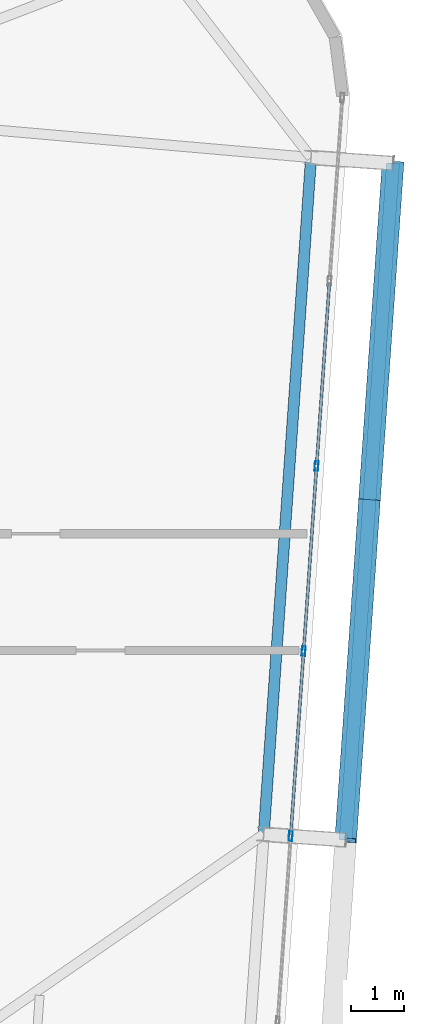
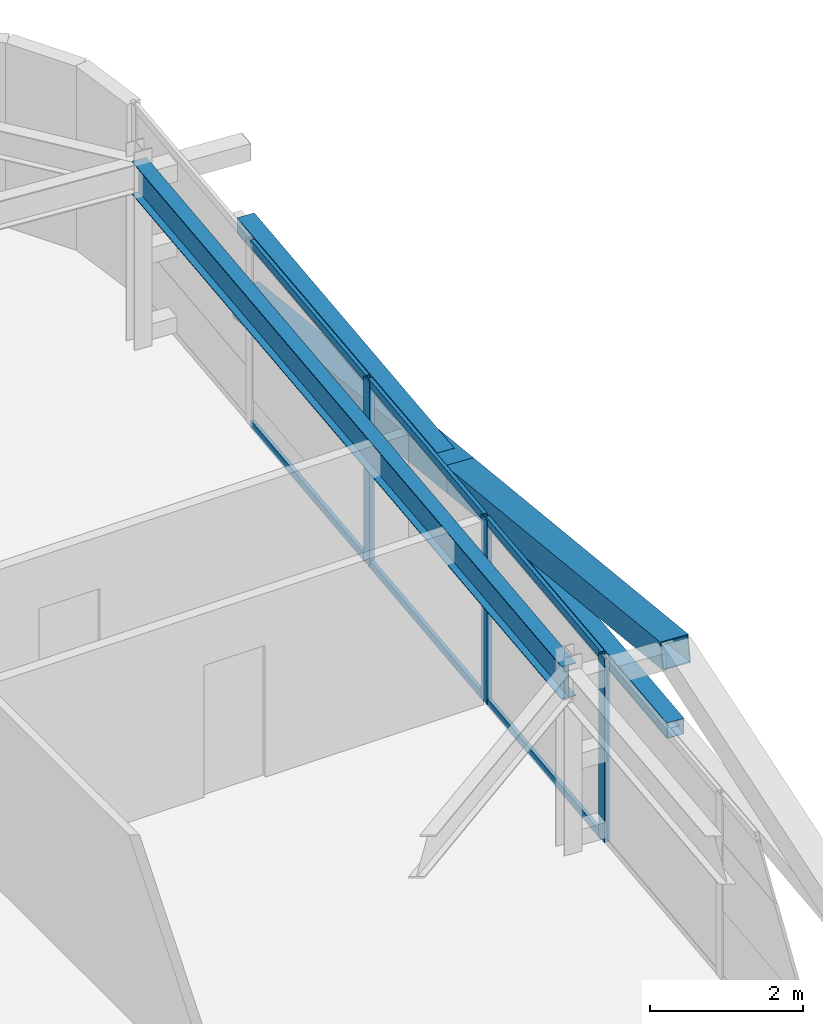
# One storey, part 24 of 47: 12 members, 1 beam, 1 element without a shape of its own.
"""IFC4 building model written with IfcOpenShell, lengths in metres."""

from ifc_helpers import new_model, si_unit, direction, frame, origin, origin_2d, place, context, subcontext, project, spatial, hollow_rectangle, i_section, extrude, source, transform, mapped, material, layer, layer_set, material_profile, profile_set, type_object, element, aggregate, save


model = new_model("IFC4")

# Units and contexts
model_context = context("Model", 3, precision=1e-05, world=origin(), true_north=direction((0.0, 1.0)))
body_context = subcontext(model_context, "Body", "Model", "MODEL_VIEW")
ifc_project = project(units=[si_unit("LENGTHUNIT", "METRE"), si_unit("AREAUNIT", "SQUARE_METRE"), si_unit("VOLUMEUNIT", "CUBIC_METRE"), si_unit("PLANEANGLEUNIT", "RADIAN"), si_unit("MASSUNIT", "GRAM", prefix="KILO")], contexts=[model_context])

# Site, building, storey
site_placement = place(None, origin())
site = spatial("IfcSite", under=ifc_project, at=site_placement, CompositionType="ELEMENT")
building_placement = place(site_placement, origin())
building = spatial("IfcBuilding", under=site, at=building_placement, Name="Taldren Reach Tower", CompositionType="ELEMENT")
storey_placement = place(building_placement, frame((0.0, 0.0, 139.300048828125)))
storey = spatial("IfcBuildingStorey", under=building, at=storey_placement, Name="L42", CompositionType="ELEMENT", Elevation=139.300048828125)

# Beam
ifc_material_1 = material(Name="Steel Gr 350 (350PLUS)", Category="steel")
ifc_material_profile_1 = material_profile(ifc_material_1, i_section(OverallWidth=0.208984375, OverallDepth=0.528076171875, WebThickness=0.009521484375, FlangeThickness=0.01318359375, at=origin_2d()), Name="530UB82.0")
ifc_profile_set_1 = profile_set([ifc_material_profile_1], Name="Steel Gr 350 (350PLUS)")
beam_type = type_object("IfcBeamType", Name="SP-UB530B", PredefinedType="SPANDREL", material=ifc_profile_set_1)
shared_shape_1 = source(origin(), body_context, "Body", "SweptSolid", [
    extrude(i_section(OverallWidth=0.208984375, OverallDepth=0.528076171875, WebThickness=0.009521484375, FlangeThickness=0.01318359375, at=origin_2d()), origin(), (0.0, 0.0, 1.0), 12.800048828125),
])
beam_placement = place(storey_placement, frame((60.438232421875, 18.331787109375, 2.666015625), z_axis=(0.069751876777, 0.9975643717, 0.0), x_axis=(-0.9975643717, 0.069751876777, 0.0)))
element("IfcBeam", 1, at=beam_placement, inside=storey, type_object=beam_type, Name="Perimeter spandrel B3 E2-E3 L42", PredefinedType="SPANDREL", context=body_context, shape_type="MappedRepresentation", body=[
    mapped(shared_shape_1, transform((0.0, 0.0, 0.0), scale=1.0)),
])

# Members
ifc_material_2 = material(Name="Steel Gr 350 (C350L0)", Category="steel")
ifc_material_profile_2 = material_profile(ifc_material_2, hollow_rectangle(XDim=0.25, YDim=0.25, WallThickness=0.010009765625, at=origin_2d()), Name="250x250x10.0SHS")
ifc_profile_set_2 = profile_set([ifc_material_profile_2], Name="Steel Gr 350 (C350L0)")
member_type_1 = type_object("IfcMemberType", Name="MB-POST250", PredefinedType="POST", material=ifc_profile_set_2)
shared_shape_2 = source(origin(), body_context, "Body", "SweptSolid", [
    extrude(hollow_rectangle(XDim=0.25, YDim=0.25, WallThickness=0.010009765625, at=origin_2d()), origin(), (0.0, 0.0, 1.0), 12.800048828125),
])
member_1_placement = place(storey_placement, frame((61.984375, 18.2236328125, 1.43505859375), z_axis=(0.069770857464, 0.997563044348, 0.0), x_axis=(-0.997563044348, 0.069770857464, 0.0)))
element("IfcMember", 2, at=member_1_placement, inside=storey, type_object=member_type_1, Name="Exoskeleton mid-height ring chord B3-E2 L42", PredefinedType="POST", context=body_context, shape_type="MappedRepresentation", body=[
    mapped(shared_shape_2, transform((0.0, 0.0, 0.0), scale=1.0)),
])
ifc_material_3 = material(Name="Steel Gr 450 (C450L0)", Category="steel")
ifc_material_profile_3 = material_profile(ifc_material_3, hollow_rectangle(XDim=0.409912109375, YDim=0.409912109375, WallThickness=0.01611328125, at=origin_2d()), Name="410x410x16.0SHS")
ifc_profile_set_3 = profile_set([ifc_material_profile_3], Name="Steel Gr 450 (C450L0)")
member_type_2 = type_object("IfcMemberType", Name="MB-EXO406", PredefinedType="BRACE", material=ifc_profile_set_3)
shared_shape_3 = source(origin(), body_context, "Body", "SweptSolid", [
    extrude(hollow_rectangle(XDim=0.409912109375, YDim=0.409912109375, WallThickness=0.01611328125, at=origin_2d()), origin(), (0.0, 0.0, 1.0), 6.514404296875),
])
member_2_placement = place(storey_placement, frame((62.87744140625, 30.992431640625, 0.219970703125), z_axis=(-0.068545126831, -0.980056649402, 0.186522195865), x_axis=(0.997563137195, -0.069769529958, 0.0)))
element("IfcMember", 3, at=member_2_placement, inside=storey, type_object=member_type_2, Name="Exoskeleton Diagrid Brace B3-E2 L42", PredefinedType="BRACE", context=body_context, shape_type="MappedRepresentation", body=[
    mapped(shared_shape_3, transform((0.0, 0.0, 0.0), scale=1.0)),
])
shared_shape_4 = source(origin(), body_context, "Body", "SweptSolid", [
    extrude(hollow_rectangle(XDim=0.409912109375, YDim=0.409912109375, WallThickness=0.01611328125, at=origin_2d()), origin(), (0.0, 0.0, 1.0), 6.51416015625),
])
member_3_placement = place(storey_placement, frame((62.430908203125, 24.60791015625, 1.43505859375), z_axis=(-0.068548123702, -0.980062020128, 0.186492872358), x_axis=(0.997562951496, -0.069772185021, 0.0)))
element("IfcMember", 4, at=member_3_placement, inside=storey, type_object=member_type_2, Name="Exoskeleton Diagrid Brace B3-E2 L42", PredefinedType="BRACE", context=body_context, shape_type="MappedRepresentation", body=[
    mapped(shared_shape_4, transform((0.0, 0.0, 0.0), scale=1.0)),
])

# Curtain wall, members
ifc_material_4 = material(Name="Aluminium and Low-E Glass Unitised System", Category="aluminium")
ifc_layer = layer(ifc_material_4, 0.159912109375)
ifc_layer_set = layer_set([ifc_layer], Name="Aluminium and Low-E Glass Unitised System")
curtain_wall_type = type_object("IfcCurtainWallType", Name="CW-SYS-4", PredefinedType="NOTDEFINED", material=ifc_layer_set)
curtain_wall_placement = place(storey_placement, origin())
curtain_wall = element("IfcCurtainWall", 5, at=curtain_wall_placement, inside=storey, type_object=curtain_wall_type, Name="Unitised curtain wall CW-L42-E", PredefinedType="NOTDEFINED")
ifc_material_5 = material(Name="Anodised Aluminium 6063-T6", Category="aluminium")
ifc_material_profile_4 = material_profile(ifc_material_5, hollow_rectangle(XDim=0.070068359375, YDim=0.179931640625, WallThickness=0.00390625, at=origin_2d()), Name="ALU-180x70x4RHS")
ifc_profile_set_4 = profile_set([ifc_material_profile_4], Name="Anodised Aluminium 6063-T6")
member_type_3 = type_object("IfcMemberType", Name="CW-MUL-180", PredefinedType="MULLION", material=ifc_profile_set_4)
shared_shape_5 = source(origin(), body_context, "Body", "SweptSolid", [
    extrude(hollow_rectangle(XDim=0.070068359375, YDim=0.179931640625, WallThickness=0.00390625, at=origin_2d()), origin(), (0.0, 0.0, 1.0), 2.929931640625),
])
member_4_placement = place(storey_placement, frame((60.947021484375, 18.296142578125, 0.0), z_axis=(0.0, 0.0, 1.0), x_axis=(-0.997564052812, 0.069756437251, 0.0)))
member_4 = element("IfcMember", 6, at=member_4_placement, type_object=member_type_3, Name="CW-4 mullion 5", PredefinedType="MULLION", context=body_context, shape_type="MappedRepresentation", body=[
    mapped(shared_shape_5, transform((0.0, 0.0, 0.0), scale=1.0)),
])
member_5_placement = place(storey_placement, frame((61.191162109375, 21.78759765625, 0.0), z_axis=(0.0, 0.0, 1.0), x_axis=(-0.997564052812, 0.069756437251, 0.0)))
member_5 = element("IfcMember", 7, at=member_5_placement, type_object=member_type_3, Name="CW-4 mullion 6", PredefinedType="MULLION", context=body_context, shape_type="MappedRepresentation", body=[
    mapped(shared_shape_5, transform((0.0, 0.0, 0.0), scale=1.0)),
])
member_6_placement = place(storey_placement, frame((61.435302734375, 25.279052734375, 0.0), z_axis=(0.0, 0.0, 1.0), x_axis=(-0.997564052812, 0.069756437251, 0.0)))
member_6 = element("IfcMember", 8, at=member_6_placement, type_object=member_type_3, Name="CW-4 mullion 7", PredefinedType="MULLION", context=body_context, shape_type="MappedRepresentation", body=[
    mapped(shared_shape_5, transform((0.0, 0.0, 0.0), scale=1.0)),
])
ifc_material_profile_5 = material_profile(ifc_material_5, hollow_rectangle(XDim=0.054931640625, YDim=0.1201171875, WallThickness=0.0029296875, at=origin_2d()), Name="ALU-120x55x3RHS")
ifc_profile_set_5 = profile_set([ifc_material_profile_5], Name="Anodised Aluminium 6063-T6")
member_type_4 = type_object("IfcMemberType", Name="CW-TRN-135", PredefinedType="USERDEFINED", material=ifc_profile_set_5)
shared_shape_6 = source(origin(), body_context, "Body", "SweptSolid", [
    extrude(hollow_rectangle(XDim=0.054931640625, YDim=0.1201171875, WallThickness=0.0029296875, at=origin_2d()), origin(), (0.0, 0.0, 1.0), 3.429931640625),
])
member_7_placement = place(storey_placement, frame((60.949462890625, 18.3310546875, 0.02734375), z_axis=(0.069754754695, 0.997564170466, 0.0), x_axis=(-0.997564170466, 0.069754754695, 0.0)))
member_7 = element("IfcMember", 9, at=member_7_placement, type_object=member_type_4, Name="CW-4 transom 5.1", ObjectType="TRANSOM", PredefinedType="USERDEFINED", context=body_context, shape_type="MappedRepresentation", body=[
    mapped(shared_shape_6, transform((0.0, 0.0, 0.0), scale=1.0)),
])
member_8_placement = place(storey_placement, frame((60.949462890625, 18.3310546875, 2.90234375), z_axis=(0.069754754695, 0.997564170466, 0.0), x_axis=(-0.997564170466, 0.069754754695, 0.0)))
member_8 = element("IfcMember", 10, at=member_8_placement, type_object=member_type_4, Name="CW-4 transom 5.2", ObjectType="TRANSOM", PredefinedType="USERDEFINED", context=body_context, shape_type="MappedRepresentation", body=[
    mapped(shared_shape_6, transform((0.0, 0.0, 0.0), scale=1.0)),
])
member_9_placement = place(storey_placement, frame((61.193603515625, 21.822509765625, 0.02734375), z_axis=(0.069754754695, 0.997564170466, 0.0), x_axis=(-0.997564170466, 0.069754754695, 0.0)))
member_9 = element("IfcMember", 11, at=member_9_placement, type_object=member_type_4, Name="CW-4 transom 6.1", ObjectType="TRANSOM", PredefinedType="USERDEFINED", context=body_context, shape_type="MappedRepresentation", body=[
    mapped(shared_shape_6, transform((0.0, 0.0, 0.0), scale=1.0)),
])
member_10_placement = place(storey_placement, frame((61.193603515625, 21.822509765625, 2.90234375), z_axis=(0.069754754695, 0.997564170466, 0.0), x_axis=(-0.997564170466, 0.069754754695, 0.0)))
member_10 = element("IfcMember", 12, at=member_10_placement, type_object=member_type_4, Name="CW-4 transom 6.2", ObjectType="TRANSOM", PredefinedType="USERDEFINED", context=body_context, shape_type="MappedRepresentation", body=[
    mapped(shared_shape_6, transform((0.0, 0.0, 0.0), scale=1.0)),
])
member_11_placement = place(storey_placement, frame((61.437744140625, 25.31396484375, 0.02734375), z_axis=(0.069754754695, 0.997564170466, 0.0), x_axis=(-0.997564170466, 0.069754754695, 0.0)))
member_11 = element("IfcMember", 13, at=member_11_placement, type_object=member_type_4, Name="CW-4 transom 7.1", ObjectType="TRANSOM", PredefinedType="USERDEFINED", context=body_context, shape_type="MappedRepresentation", body=[
    mapped(shared_shape_6, transform((0.0, 0.0, 0.0), scale=1.0)),
])
member_12_placement = place(storey_placement, frame((61.437744140625, 25.31396484375, 2.90234375), z_axis=(0.069754754695, 0.997564170466, 0.0), x_axis=(-0.997564170466, 0.069754754695, 0.0)))
member_12 = element("IfcMember", 14, at=member_12_placement, type_object=member_type_4, Name="CW-4 transom 7.2", ObjectType="TRANSOM", PredefinedType="USERDEFINED", context=body_context, shape_type="MappedRepresentation", body=[
    mapped(shared_shape_6, transform((0.0, 0.0, 0.0), scale=1.0)),
])
aggregate(curtain_wall, [member_4, member_5, member_6, member_7, member_8, member_9, member_10, member_11, member_12])

save(model, "model.ifc")
